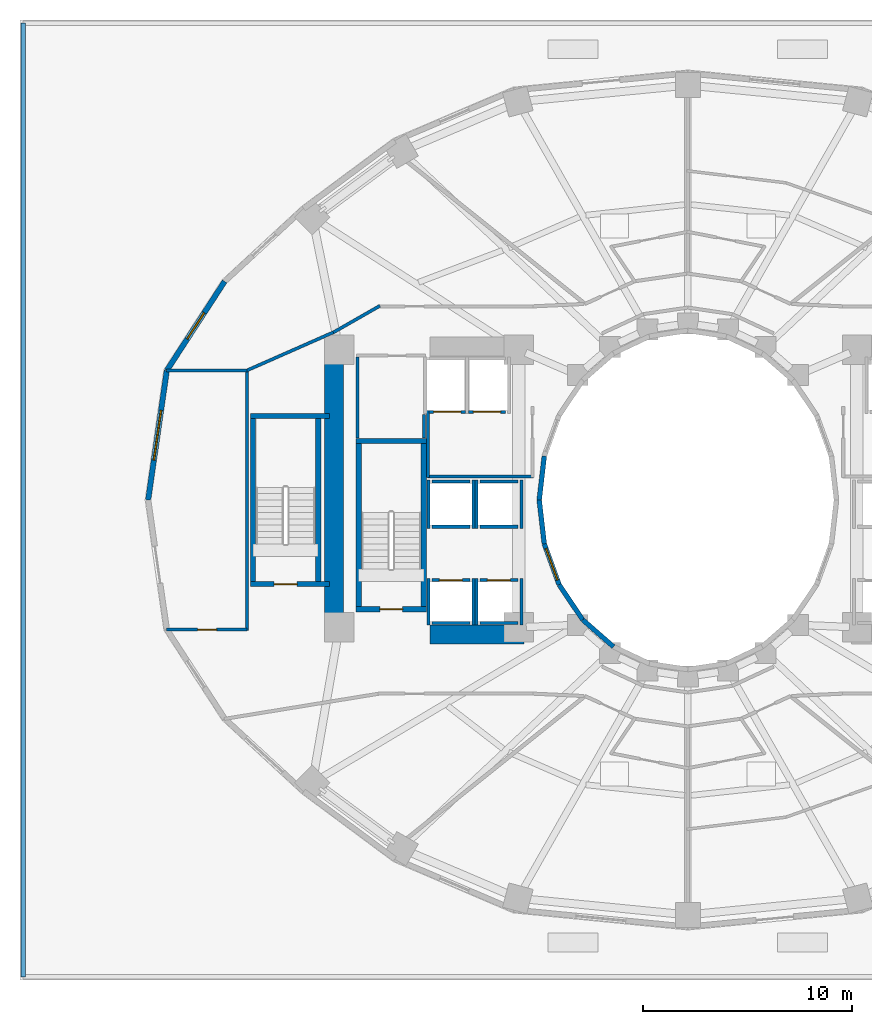
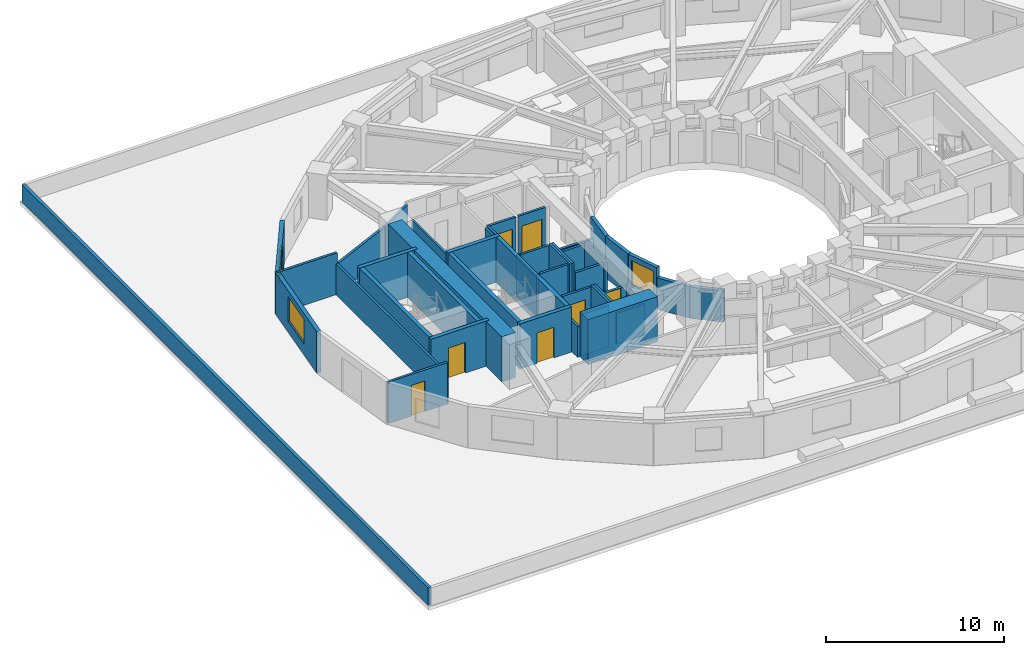
# One storey, part 4 of 10: 45 walls, 7 doors, 3 windows, 10 openings.
"""IFC4 building model written with IfcOpenShell, lengths in metres."""

from ifc_helpers import new_model, si_unit, direction, frame, frame_2d, origin, place, context, subcontext, project, spatial, rectangle, extrude, material, layer, layer_set, type_object, element, fill, save


model = new_model("IFC4")

# Units and contexts
model_context = context("Model", 3, precision=1e-05, world=origin(), true_north=direction((0.0, 1.0)))
body_context = subcontext(model_context, "Body", "Model", "MODEL_VIEW")
ifc_project = project(units=[si_unit("LENGTHUNIT", "METRE"), si_unit("AREAUNIT", "SQUARE_METRE"), si_unit("VOLUMEUNIT", "CUBIC_METRE"), si_unit("PLANEANGLEUNIT", "RADIAN"), si_unit("MASSUNIT", "GRAM", prefix="KILO")], contexts=[model_context])

# Site, building, storey
site_placement = place(None, origin())
site = spatial("IfcSite", under=ifc_project, at=site_placement, CompositionType="ELEMENT")
building_placement = place(site_placement, origin())
building = spatial("IfcBuilding", under=site, at=building_placement, Name="Solvane Sanctuary Tower", CompositionType="ELEMENT")
storey_placement = place(building_placement, frame((0.0, 0.0, 27.60009765625)))
storey = spatial("IfcBuildingStorey", under=building, at=storey_placement, Name="L07", CompositionType="ELEMENT", Elevation=27.60009765625)

# Walls
ifc_material_1 = material(Name="Concrete C70/85", Category="concrete")
ifc_layer_1 = layer(ifc_material_1, 0.89990234375, Name="Concrete C70/85")
ifc_layer_set_1 = layer_set([ifc_layer_1], Name="Concrete C70/85")
wall_type_1 = type_object("IfcWallType", Name="Wall W-CORE-900", PredefinedType="SHEAR", material=ifc_layer_set_1)
wall_1_placement = place(storey_placement, frame((15.050048828125, 17.050048828125, 0.0), z_axis=(0.0, 0.0, 1.0), x_axis=(0.0, 1.0, 0.0)))
element("IfcWall", 1, at=wall_1_placement, inside=storey, type_object=wall_type_1, Name="L07 Core Shear Wall WC-W", PredefinedType="SHEAR", context=body_context, shape_type="SweptSolid", body=[
    extrude(rectangle(XDim=12.800048828125, YDim=0.89990234375, at=frame_2d((6.39990234375, 0.0))), origin(), (0.0, 0.0, 1.0), 3.099853515625),
])
wall_2_placement = place(storey_placement, frame((19.64990234375, 16.550048828125, 0.0), z_axis=(0.0, 0.0, 1.0), x_axis=(1.0, 0.0, 0.0)))
element("IfcWall", 2, at=wall_2_placement, inside=storey, type_object=wall_type_1, Name="L07 Core Shear Wall WC-S", PredefinedType="SHEAR", context=body_context, shape_type="SweptSolid", body=[
    extrude(rectangle(XDim=4.5, YDim=0.89990234375, at=frame_2d((2.25, 0.0))), origin(), (0.0, 0.0, 1.0), 3.099853515625),
])
ifc_material_2 = material(Name="Acoustic Gypsum Partition Board")
ifc_layer_2 = layer(ifc_material_2, 0.14990234375, Name="Acoustic Gypsum Partition Board")
ifc_layer_set_2 = layer_set([ifc_layer_2], Name="Acoustic Gypsum Partition Board")
wall_type_2 = type_object("IfcWallType", Name="Wall W-CORR-150", PredefinedType="PARTITIONING", material=ifc_layer_set_2)
wall_3_placement = place(storey_placement, frame((19.52001953125, 24.1201171875, 0.0), z_axis=(0.0, 0.0, 1.0), x_axis=(1.0, 0.0, 0.0)))
element("IfcWall", 3, at=wall_3_placement, inside=storey, type_object=wall_type_2, Name="L07 West Firefighting Lobby South Wall", PredefinedType="PARTITIONING", context=body_context, shape_type="SweptSolid", body=[
    extrude(rectangle(XDim=5.080078125, YDim=0.14990234375, at=frame_2d((2.5400390625, 0.0))), origin(), (0.0, 0.0, 1.0), 2.119873046875),
])
wall_4_placement = place(storey_placement, frame((19.550048828125, 24.080078125, 0.0), z_axis=(0.0, 0.0, 1.0), x_axis=(0.0, 1.0, 0.0)))
element("IfcWall", 4, at=wall_4_placement, inside=storey, type_object=wall_type_2, Name="L07 West Firefighting Lobby West Wall", PredefinedType="PARTITIONING", context=body_context, shape_type="SweptSolid", body=[
    extrude(rectangle(XDim=3.199951171875, YDim=0.14990234375, at=frame_2d((1.60009765625, 0.0))), origin(), (0.0, 0.0, 1.0), 2.85498046875),
])
wall_5_placement = place(storey_placement, frame((10.8798828125, 16.748291015625, 0.0), z_axis=(0.0, 0.0, 1.0), x_axis=(0.0, 1.0, 0.0)))
element("IfcWall", 5, at=wall_5_placement, inside=storey, type_object=wall_type_2, Name="L07 West Shoulder Back Wall", PredefinedType="PARTITIONING", context=body_context, shape_type="SweptSolid", body=[
    extrude(rectangle(XDim=12.50341796875, YDim=0.14990234375, at=frame_2d((6.251708984375, 0.0))), origin(), (0.0, 0.0, 1.0), 2.119873046875),
])

# Wall, opening, door
wall_6_placement = place(storey_placement, frame((7.013671875, 16.788330078125, 0.0), z_axis=(0.0, 0.0, 1.0), x_axis=(1.0, 0.0, 0.0)))
wall_6 = element("IfcWall", 6, at=wall_6_placement, inside=storey, type_object=wall_type_2, Name="L07 West Shoulder South Wall", PredefinedType="PARTITIONING", context=body_context, shape_type="SweptSolid", body=[
    extrude(rectangle(XDim=3.8662109375, YDim=0.14990234375, at=frame_2d((1.93310546875, 0.0))), origin(), (0.0, 0.0, 1.0), 2.85498046875),
])
opening_1_placement = place(wall_6_placement, frame((1.503173828125, 0.0, 0.0)))
opening_1 = element("IfcOpeningElement", 7, at=opening_1_placement, cuts=wall_6, Name="Opening D-L07-13", PredefinedType="OPENING", context=body_context, shape_type="SweptSolid", body=[
    extrude(rectangle(XDim=0.89990234375, YDim=2.10009765625, at=frame_2d((0.449951171875, 1.050048828125))), frame((0.0, 0.0849609375, 0.0), z_axis=(0.0, -1.0, 0.0), x_axis=(1.0, 0.0, 0.0)), (0.0, 0.0, 1.0), 0.169921875),
])
ifc_material_3 = material(Name="Engineered Tropical Hardwood", Category="wood")
door_type_1 = type_object("IfcDoorType", Name="Door D-WET-900", OperationType="NOTDEFINED", PredefinedType="DOOR", material=ifc_material_3)
door_1_placement = place(opening_1_placement, origin())
door_1 = element("IfcDoor", 8, at=door_1_placement, inside=storey, type_object=door_type_1, Name="L07 West Shoulder South Door", OperationType="SINGLE_SWING_LEFT", OverallHeight=2.10009765625, OverallWidth=0.89990234375, PredefinedType="DOOR", context=body_context, shape_type="SweptSolid", body=[
    extrude(rectangle(XDim=0.89990234375, YDim=2.10009765625, at=frame_2d((0.449951171875, 1.050048828125))), frame((0.0, 0.02490234375, 0.0), z_axis=(0.0, -1.0, 0.0), x_axis=(1.0, 0.0, 0.0)), (0.0, 0.0, 1.0), 0.050048828125),
])
fill(opening_1, door_1)

# Walls
wall_7_placement = place(storey_placement, frame((7.013671875, 29.211669921875, 0.0), z_axis=(0.0, 0.0, 1.0), x_axis=(1.0, 0.0, 0.0)))
element("IfcWall", 9, at=wall_7_placement, inside=storey, type_object=wall_type_2, Name="L07 West Shoulder North Wall", PredefinedType="PARTITIONING", context=body_context, shape_type="SweptSolid", body=[
    extrude(rectangle(XDim=3.8662109375, YDim=0.14990234375, at=frame_2d((1.93310546875, 0.0))), origin(), (0.0, 0.0, 1.0), 2.85498046875),
])
wall_8_placement = place(storey_placement, frame((10.843505859375, 29.195556640625, 0.0), z_axis=(0.0, 0.0, 1.0), x_axis=(0.91502756289, 0.403391322604, 0.0)))
element("IfcWall", 10, at=wall_8_placement, inside=storey, type_object=wall_type_2, Name="L07 NW Corner Closer 1", PredefinedType="PARTITIONING", context=body_context, shape_type="SweptSolid", body=[
    extrude(rectangle(XDim=4.63720703125, YDim=0.14990234375, at=frame_2d((2.318603515625, 0.0))), origin(), (0.0, 0.0, 1.0), 2.06884765625),
])
wall_9_placement = place(storey_placement, frame((17.243408203125, 32.3046875, 0.0), z_axis=(0.0, 0.0, 1.0), x_axis=(-0.867991349648, -0.496579315857, 0.0)))
element("IfcWall", 11, at=wall_9_placement, inside=storey, type_object=wall_type_2, Name="L07 NW Corner Wing Wall", PredefinedType="PARTITIONING", context=body_context, shape_type="SweptSolid", body=[
    extrude(rectangle(XDim=2.56689453125, YDim=0.14990234375, at=frame_2d((1.283447265625, 0.0))), origin(), (0.0, 0.0, 1.0), 2.06884765625),
])

# Wall, opening, window
ifc_material_4 = material(Name="Precast concrete C40/50", Category="concrete")
ifc_layer_3 = layer(ifc_material_4, 0.260009765625, Name="Precast concrete C40/50")
ifc_layer_set_3 = layer_set([ifc_layer_3], Name="Precast concrete C40/50")
wall_type_3 = type_object("IfcWallType", Name="Wall W-EXT-250", PredefinedType="STANDARD", material=ifc_layer_set_3)
wall_10_placement = place(storey_placement, frame((9.80615234375, 33.4755859375, 0.0), z_axis=(0.0, 0.0, 1.0), x_axis=(-0.544578722263, -0.838709732421, 0.0)))
wall_10 = element("IfcWall", 12, at=wall_10_placement, inside=storey, type_object=wall_type_3, Name="L07 Ceramic-Printed Facade Wall 10", PredefinedType="STANDARD", context=body_context, shape_type="SweptSolid", body=[
    extrude(rectangle(XDim=5.091552734375, YDim=0.260009765625, at=frame_2d((2.5458984375, 0.0))), origin(), (0.0, 0.0, 1.0), 2.849853515625),
])
opening_2_placement = place(wall_10_placement, frame((1.795654296875, 0.0, 0.75)))
opening_2 = element("IfcOpeningElement", 13, at=opening_2_placement, cuts=wall_10, Name="Opening WN-OPER-1500", PredefinedType="OPENING", context=body_context, shape_type="SweptSolid", body=[
    extrude(rectangle(XDim=1.5, YDim=1.60009765625, at=frame_2d((0.75, 0.800048828125))), frame((0.0, 0.139892578125, 0.0), z_axis=(0.0, -1.0, 0.0), x_axis=(1.0, 0.0, 0.0)), (0.0, 0.0, 1.0), 0.280029296875),
])
ifc_material_5 = material(Name="Dark Ceramic-Fritted Low-E Glass", Category="glass")
window_type_1 = type_object("IfcWindowType", Name="Window WN-OPER-1500", PartitioningType="SINGLE_PANEL", PredefinedType="WINDOW", material=ifc_material_5)
window_1_placement = place(opening_2_placement, origin())
window_1 = element("IfcWindow", 14, at=window_1_placement, inside=storey, type_object=window_type_1, Name="L07 Operable Facade Window 10", OverallHeight=1.60009765625, OverallWidth=1.5, PartitioningType="SINGLE_PANEL", PredefinedType="WINDOW", context=body_context, shape_type="SweptSolid", body=[
    extrude(rectangle(XDim=1.5, YDim=1.60009765625, at=frame_2d((0.75, 0.800048828125))), frame((0.0, 0.030029296875, 0.0), z_axis=(0.0, -1.0, 0.0), x_axis=(1.0, 0.0, 0.0)), (0.0, 0.0, 1.0), 0.06005859375),
])
fill(opening_2, window_1)

wall_11_placement = place(storey_placement, frame((7.033447265625, 29.205322265625, 0.0), z_axis=(0.0, 0.0, 1.0), x_axis=(-0.142528001686, -0.989790770181, 0.0)))
wall_11 = element("IfcWall", 15, at=wall_11_placement, inside=storey, type_object=wall_type_3, Name="L07 Ceramic-Printed Facade Wall 11", PredefinedType="STANDARD", context=body_context, shape_type="SweptSolid", body=[
    extrude(rectangle(XDim=6.269287109375, YDim=0.260009765625, at=frame_2d((3.134765625, 0.0))), origin(), (0.0, 0.0, 1.0), 2.849853515625),
])
opening_3_placement = place(wall_11_placement, frame((1.9345703125, 0.0, 0.75)))
opening_3 = element("IfcOpeningElement", 16, at=opening_3_placement, cuts=wall_11, Name="Opening WN-RIB-2400", PredefinedType="OPENING", context=body_context, shape_type="SweptSolid", body=[
    extrude(rectangle(XDim=2.39990234375, YDim=1.699951171875, at=frame_2d((1.199951171875, 0.85009765625))), frame((0.0, 0.139892578125, 0.0), z_axis=(0.0, -1.0, 0.0), x_axis=(1.0, 0.0, 0.0)), (0.0, 0.0, 1.0), 0.280029296875),
])
window_type_2 = type_object("IfcWindowType", Name="Window WN-RIB-2400", PartitioningType="SINGLE_PANEL", PredefinedType="WINDOW", material=ifc_material_5)
window_2_placement = place(opening_3_placement, origin())
window_2 = element("IfcWindow", 17, at=window_2_placement, inside=storey, type_object=window_type_2, Name="L07 Operable Facade Window 11", OverallHeight=1.699951171875, OverallWidth=2.39990234375, PartitioningType="SINGLE_PANEL", PredefinedType="WINDOW", context=body_context, shape_type="SweptSolid", body=[
    extrude(rectangle(XDim=2.39990234375, YDim=1.699951171875, at=frame_2d((1.199951171875, 0.85009765625))), frame((0.0, 0.030029296875, 0.0), z_axis=(0.0, -1.0, 0.0), x_axis=(1.0, 0.0, 0.0)), (0.0, 0.0, 1.0), 0.06005859375),
])
fill(opening_3, window_2)

# Walls
ifc_layer_4 = layer(ifc_material_4, 0.22998046875, Name="Precast concrete C40/50")
ifc_layer_set_4 = layer_set([ifc_layer_4], Name="Precast concrete C40/50")
wall_type_4 = type_object("IfcWallType", Name="Wall W-EXT-SP220", PredefinedType="STANDARD", material=ifc_layer_set_4)
for number, where, z_axis, x_axis, name in (
    (18, (25.12255859375, 25.1015625, 0.0), (0.0, 0.0, 1.0), (-0.114711713601, -0.993398823617, 0.0), "L07 Central Light-Well Wall 11"),
    (19, (24.8798828125, 23.0, 0.0), (0.0, 0.0, 1.0), (0.114711713601, -0.993398823617, 0.0), "L07 Central Light-Well Wall 12"),
):
    element("IfcWall", number, at=place(storey_placement, frame(where, z_axis=z_axis, x_axis=x_axis)), inside=storey, type_object=wall_type_4, Name=name, PredefinedType="STANDARD", context=body_context, shape_type="SweptSolid", body=[
        extrude(rectangle(XDim=2.115478515625, YDim=0.22998046875, at=frame_2d((1.0576171875, 0.0))), origin(), (0.0, 0.0, 1.0), 2.83984375),
    ])

# Wall, opening, window
wall_12_placement = place(storey_placement, frame((25.12255859375, 20.8984375, 0.0), z_axis=(0.0, 0.0, 1.0), x_axis=(0.341423187295, -0.93990968033, 0.0)))
wall_12 = element("IfcWall", 20, at=wall_12_placement, inside=storey, type_object=wall_type_4, Name="L07 Central Light-Well Wall 13", PredefinedType="STANDARD", context=body_context, shape_type="SweptSolid", body=[
    extrude(rectangle(XDim=2.083740234375, YDim=0.22998046875, at=frame_2d((1.0419921875, 0.0))), origin(), (0.0, 0.0, 1.0), 2.83984375),
])
opening_4_placement = place(wall_12_placement, frame((0.24169921875, 0.0, 0.85009765625)))
opening_4 = element("IfcOpeningElement", 21, at=opening_4_placement, cuts=wall_12, Name="Opening WN-WELL-1600", PredefinedType="OPENING", context=body_context, shape_type="SweptSolid", body=[
    extrude(rectangle(XDim=1.60009765625, YDim=1.64990234375, at=frame_2d((0.800048828125, 0.824951171875))), frame((0.0, 0.125, 0.0), z_axis=(0.0, -1.0, 0.0), x_axis=(1.0, 0.0, 0.0)), (0.0, 0.0, 1.0), 0.25),
])
ifc_material_6 = material(Name="Clear Laminated Light-Well Glass", Category="glass")
window_type_3 = type_object("IfcWindowType", Name="Window WN-WELL-1600", PartitioningType="SINGLE_PANEL", PredefinedType="WINDOW", material=ifc_material_6)
window_3_placement = place(opening_4_placement, origin())
window_3 = element("IfcWindow", 22, at=window_3_placement, inside=storey, type_object=window_type_3, Name="L07 Light-Well Daylight Window 13", OverallHeight=1.64990234375, OverallWidth=1.60009765625, PartitioningType="SINGLE_PANEL", PredefinedType="WINDOW", context=body_context, shape_type="SweptSolid", body=[
    extrude(rectangle(XDim=1.60009765625, YDim=1.64990234375, at=frame_2d((0.800048828125, 0.824951171875))), frame((0.0, 0.030029296875, 0.0), z_axis=(0.0, -1.0, 0.0), x_axis=(1.0, 0.0, 0.0)), (0.0, 0.0, 1.0), 0.06005859375),
])
fill(opening_4, window_3)

# Walls
wall_13_placement = place(storey_placement, frame((25.833984375, 18.93994140625, 0.0), z_axis=(0.0, 0.0, 1.0), x_axis=(0.558197800898, -0.829707909492, 0.0)))
element("IfcWall", 23, at=wall_13_placement, inside=storey, type_object=wall_type_4, Name="L07 Central Light-Well Wall 14", PredefinedType="STANDARD", context=body_context, shape_type="SweptSolid", body=[
    extrude(rectangle(XDim=2.02685546875, YDim=0.22998046875, at=frame_2d((1.013427734375, 0.0))), origin(), (0.0, 0.0, 1.0), 2.159912109375),
])
wall_14_placement = place(storey_placement, frame((26.96533203125, 17.25830078125, 0.0), z_axis=(0.0, 0.0, 1.0), x_axis=(0.752576694707, -0.658504607869, 0.0)))
element("IfcWall", 24, at=wall_14_placement, inside=storey, type_object=wall_type_4, Name="L07 Central Light-Well Wall 15", PredefinedType="STANDARD", context=body_context, shape_type="SweptSolid", body=[
    extrude(rectangle(XDim=1.95947265625, YDim=0.22998046875, at=frame_2d((0.979736328125, 0.0))), origin(), (0.0, 0.0, 1.0), 2.159912109375),
])
ifc_layer_5 = layer(ifc_material_4, 0.2099609375, Name="Precast concrete C40/50")
ifc_layer_set_5 = layer_set([ifc_layer_5], Name="Precast concrete C40/50")
wall_type_5 = type_object("IfcWallType", Name="Wall W-PARAPET-200", PredefinedType="PARAPET", material=ifc_layer_set_5)
wall_15_placement = place(storey_placement, frame((0.14990234375, 45.85009765625, 0.0), z_axis=(0.0, 0.0, 1.0), x_axis=(0.0, -1.0, 0.0)))
element("IfcWall", 25, at=wall_15_placement, inside=storey, type_object=wall_type_5, Name="L07 Podium Roof Perimeter Parapet W", PredefinedType="PARAPET", context=body_context, shape_type="SweptSolid", body=[
    extrude(rectangle(XDim=45.7001953125, YDim=0.2099609375, at=frame_2d((22.85009765625, 0.0))), origin(), (0.0, 0.0, 1.0), 1.199951171875),
])

# Wall, opening, door
ifc_material_7 = material(Name="Concrete C50/60", Category="concrete")
ifc_layer_6 = layer(ifc_material_7, 0.14990234375, Name="Concrete C50/60")
ifc_layer_set_6 = layer_set([ifc_layer_6], Name="Concrete C50/60")
wall_type_6 = type_object("IfcWallType", Name="Wall W-SHAFT-150", PredefinedType="SOLIDWALL", material=ifc_layer_set_6)
wall_16_placement = place(storey_placement, frame((19.739990234375, 19.159912109375, 0.0), z_axis=(0.0, 0.0, 1.0), x_axis=(1.0, 0.0, 0.0)))
wall_16 = element("IfcWall", 26, at=wall_16_placement, inside=storey, type_object=wall_type_6, Name="L07 PL-1 Lift Shaft Wall F", PredefinedType="SOLIDWALL", context=body_context, shape_type="SweptSolid", body=[
    extrude(rectangle(XDim=1.820068359375, YDim=0.14990234375, at=frame_2d((0.91015625, 0.0))), origin(), (0.0, 0.0, 1.0), 2.85498046875),
])
opening_5_placement = place(wall_16_placement, frame((0.360107421875, 0.0, 0.0)))
opening_5 = element("IfcOpeningElement", 27, at=opening_5_placement, cuts=wall_16, Name="Opening LD-L07-01", PredefinedType="OPENING", context=body_context, shape_type="SweptSolid", body=[
    extrude(rectangle(XDim=1.10009765625, YDim=2.10009765625, at=frame_2d((0.550048828125, 1.050048828125))), frame((0.0, 0.0849609375, 0.0), z_axis=(0.0, -1.0, 0.0), x_axis=(1.0, 0.0, 0.0)), (0.0, 0.0, 1.0), 0.169921875),
])
ifc_material_8 = material(Name="Architectural Stainless Steel 316", Category="steel")
door_type_2 = type_object("IfcDoorType", Name="Door LD-PASS-1100", OperationType="NOTDEFINED", PredefinedType="DOOR", material=ifc_material_8)
door_2_placement = place(opening_5_placement, origin())
door_2 = element("IfcDoor", 28, at=door_2_placement, inside=storey, type_object=door_type_2, Name="L07 PL-1 Lift Landing Door", OperationType="DOUBLE_DOOR_SLIDING", OverallHeight=2.10009765625, OverallWidth=1.10009765625, PredefinedType="DOOR", context=body_context, shape_type="SweptSolid", body=[
    extrude(rectangle(XDim=1.10009765625, YDim=2.10009765625, at=frame_2d((0.550048828125, 1.050048828125))), frame((0.0, 0.02490234375, 0.0), z_axis=(0.0, -1.0, 0.0), x_axis=(1.0, 0.0, 0.0)), (0.0, 0.0, 1.0), 0.050048828125),
])
fill(opening_5, door_2)

# Walls
wall_17_placement = place(storey_placement, frame((19.739990234375, 17.10009765625, 0.0), z_axis=(0.0, 0.0, 1.0), x_axis=(1.0, 0.0, 0.0)))
element("IfcWall", 29, at=wall_17_placement, inside=storey, type_object=wall_type_6, Name="L07 PL-1 Lift Shaft Wall B", PredefinedType="SOLIDWALL", context=body_context, shape_type="SweptSolid", body=[
    extrude(rectangle(XDim=1.820068359375, YDim=0.14990234375, at=frame_2d((0.91015625, 0.0))), origin(), (0.0, 0.0, 1.0), 2.85498046875),
])
wall_18_placement = place(storey_placement, frame((19.570068359375, 17.02001953125, 0.0), z_axis=(0.0, 0.0, 1.0), x_axis=(0.0, 1.0, 0.0)))
element("IfcWall", 30, at=wall_18_placement, inside=storey, type_object=wall_type_6, Name="L07 PL-1 Lift Shaft Wall S1", PredefinedType="SOLIDWALL", context=body_context, shape_type="SweptSolid", body=[
    extrude(rectangle(XDim=2.219970703125, YDim=0.14990234375, at=frame_2d((1.10986328125, 0.0))), origin(), (0.0, 0.0, 1.0), 2.119873046875),
])
wall_19_placement = place(storey_placement, frame((21.72998046875, 17.02001953125, 0.0), z_axis=(0.0, 0.0, 1.0), x_axis=(0.0, 1.0, 0.0)))
element("IfcWall", 31, at=wall_19_placement, inside=storey, type_object=wall_type_6, Name="L07 PL-1 Lift Shaft Wall S2", PredefinedType="SOLIDWALL", context=body_context, shape_type="SweptSolid", body=[
    extrude(rectangle(XDim=2.219970703125, YDim=0.14990234375, at=frame_2d((1.10986328125, 0.0))), origin(), (0.0, 0.0, 1.0), 2.85498046875),
])

# Wall, opening, door
wall_20_placement = place(storey_placement, frame((22.0400390625, 19.159912109375, 0.0), z_axis=(0.0, 0.0, 1.0), x_axis=(1.0, 0.0, 0.0)))
wall_20 = element("IfcWall", 32, at=wall_20_placement, inside=storey, type_object=wall_type_6, Name="L07 PL-2 Lift Shaft Wall F", PredefinedType="SOLIDWALL", context=body_context, shape_type="SweptSolid", body=[
    extrude(rectangle(XDim=1.820068359375, YDim=0.14990234375, at=frame_2d((0.91015625, 0.0))), origin(), (0.0, 0.0, 1.0), 2.119873046875),
])
opening_6_placement = place(wall_20_placement, frame((0.360107421875, 0.0, 0.0)))
opening_6 = element("IfcOpeningElement", 33, at=opening_6_placement, cuts=wall_20, Name="Opening LD-L07-02", PredefinedType="OPENING", context=body_context, shape_type="SweptSolid", body=[
    extrude(rectangle(XDim=1.10009765625, YDim=2.10009765625, at=frame_2d((0.550048828125, 1.050048828125))), frame((0.0, 0.0849609375, 0.0), z_axis=(0.0, -1.0, 0.0), x_axis=(1.0, 0.0, 0.0)), (0.0, 0.0, 1.0), 0.169921875),
])
door_3_placement = place(opening_6_placement, origin())
door_3 = element("IfcDoor", 34, at=door_3_placement, inside=storey, type_object=door_type_2, Name="L07 PL-2 Lift Landing Door", OperationType="DOUBLE_DOOR_SLIDING", OverallHeight=2.10009765625, OverallWidth=1.10009765625, PredefinedType="DOOR", context=body_context, shape_type="SweptSolid", body=[
    extrude(rectangle(XDim=1.10009765625, YDim=2.10009765625, at=frame_2d((0.550048828125, 1.050048828125))), frame((0.0, 0.02490234375, 0.0), z_axis=(0.0, -1.0, 0.0), x_axis=(1.0, 0.0, 0.0)), (0.0, 0.0, 1.0), 0.050048828125),
])
fill(opening_6, door_3)

# Walls
wall_21_placement = place(storey_placement, frame((22.0400390625, 17.10009765625, 0.0), z_axis=(0.0, 0.0, 1.0), x_axis=(1.0, 0.0, 0.0)))
element("IfcWall", 35, at=wall_21_placement, inside=storey, type_object=wall_type_6, Name="L07 PL-2 Lift Shaft Wall B", PredefinedType="SOLIDWALL", context=body_context, shape_type="SweptSolid", body=[
    extrude(rectangle(XDim=1.820068359375, YDim=0.14990234375, at=frame_2d((0.91015625, 0.0))), origin(), (0.0, 0.0, 1.0), 2.119873046875),
])
wall_22_placement = place(storey_placement, frame((21.8701171875, 17.02001953125, 0.0), z_axis=(0.0, 0.0, 1.0), x_axis=(0.0, 1.0, 0.0)))
element("IfcWall", 36, at=wall_22_placement, inside=storey, type_object=wall_type_6, Name="L07 PL-2 Lift Shaft Wall S1", PredefinedType="SOLIDWALL", context=body_context, shape_type="SweptSolid", body=[
    extrude(rectangle(XDim=2.219970703125, YDim=0.14990234375, at=frame_2d((1.10986328125, 0.0))), origin(), (0.0, 0.0, 1.0), 2.85498046875),
])
wall_23_placement = place(storey_placement, frame((24.030029296875, 17.02001953125, 0.0), z_axis=(0.0, 0.0, 1.0), x_axis=(0.0, 1.0, 0.0)))
element("IfcWall", 37, at=wall_23_placement, inside=storey, type_object=wall_type_6, Name="L07 PL-2 Lift Shaft Wall S2", PredefinedType="SOLIDWALL", context=body_context, shape_type="SweptSolid", body=[
    extrude(rectangle(XDim=2.219970703125, YDim=0.14990234375, at=frame_2d((1.10986328125, 0.0))), origin(), (0.0, 0.0, 1.0), 2.119873046875),
])
for number, where, z_axis, x_axis, name in (
    (38, (19.739990234375, 21.719970703125, 0.0), (0.0, 0.0, 1.0), (1.0, 0.0, 0.0), "L07 PM-1 Lift Shaft Wall F"),
    (39, (19.739990234375, 23.8798828125, 0.0), (0.0, 0.0, 1.0), (1.0, 0.0, 0.0), "L07 PM-1 Lift Shaft Wall B"),
):
    element("IfcWall", number, at=place(storey_placement, frame(where, z_axis=z_axis, x_axis=x_axis)), inside=storey, type_object=wall_type_6, Name=name, PredefinedType="SOLIDWALL", context=body_context, shape_type="SweptSolid", body=[
        extrude(rectangle(XDim=1.820068359375, YDim=0.14990234375, at=frame_2d((0.91015625, 0.0))), origin(), (0.0, 0.0, 1.0), 2.85498046875),
    ])
for number, where, z_axis, x_axis, name in (
    (40, (19.570068359375, 21.639892578125, 0.0), (0.0, 0.0, 1.0), (0.0, 1.0, 0.0), "L07 PM-1 Lift Shaft Wall S1"),
    (41, (21.72998046875, 21.639892578125, 0.0), (0.0, 0.0, 1.0), (0.0, 1.0, 0.0), "L07 PM-1 Lift Shaft Wall S2"),
):
    element("IfcWall", number, at=place(storey_placement, frame(where, z_axis=z_axis, x_axis=x_axis)), inside=storey, type_object=wall_type_6, Name=name, PredefinedType="SOLIDWALL", context=body_context, shape_type="SweptSolid", body=[
        extrude(rectangle(XDim=2.320068359375, YDim=0.14990234375, at=frame_2d((1.16015625, 0.0))), origin(), (0.0, 0.0, 1.0), 2.85498046875),
    ])
for number, where, z_axis, x_axis, name in (
    (42, (22.0400390625, 21.719970703125, 0.0), (0.0, 0.0, 1.0), (1.0, 0.0, 0.0), "L07 PH-1 Lift Shaft Wall F"),
    (43, (22.0400390625, 23.8798828125, 0.0), (0.0, 0.0, 1.0), (1.0, 0.0, 0.0), "L07 PH-1 Lift Shaft Wall B"),
):
    element("IfcWall", number, at=place(storey_placement, frame(where, z_axis=z_axis, x_axis=x_axis)), inside=storey, type_object=wall_type_6, Name=name, PredefinedType="SOLIDWALL", context=body_context, shape_type="SweptSolid", body=[
        extrude(rectangle(XDim=1.820068359375, YDim=0.14990234375, at=frame_2d((0.91015625, 0.0))), origin(), (0.0, 0.0, 1.0), 2.119873046875),
    ])
wall_24_placement = place(storey_placement, frame((21.8701171875, 21.639892578125, 0.0), z_axis=(0.0, 0.0, 1.0), x_axis=(0.0, 1.0, 0.0)))
element("IfcWall", 44, at=wall_24_placement, inside=storey, type_object=wall_type_6, Name="L07 PH-1 Lift Shaft Wall S1", PredefinedType="SOLIDWALL", context=body_context, shape_type="SweptSolid", body=[
    extrude(rectangle(XDim=2.320068359375, YDim=0.14990234375, at=frame_2d((1.16015625, 0.0))), origin(), (0.0, 0.0, 1.0), 2.85498046875),
])
wall_25_placement = place(storey_placement, frame((24.030029296875, 21.639892578125, 0.0), z_axis=(0.0, 0.0, 1.0), x_axis=(0.0, 1.0, 0.0)))
element("IfcWall", 45, at=wall_25_placement, inside=storey, type_object=wall_type_6, Name="L07 PH-1 Lift Shaft Wall S2", PredefinedType="SOLIDWALL", context=body_context, shape_type="SweptSolid", body=[
    extrude(rectangle(XDim=2.320068359375, YDim=0.14990234375, at=frame_2d((1.16015625, 0.0))), origin(), (0.0, 0.0, 1.0), 2.119873046875),
])

# Wall, opening, door
wall_26_placement = place(storey_placement, frame((19.590087890625, 27.219970703125, 0.0), z_axis=(0.0, 0.0, 1.0), x_axis=(1.0, 0.0, 0.0)))
wall_26 = element("IfcWall", 46, at=wall_26_placement, inside=storey, type_object=wall_type_6, Name="L07 FFL-1 Lift Shaft Wall F", PredefinedType="SOLIDWALL", context=body_context, shape_type="SweptSolid", body=[
    extrude(rectangle(XDim=1.760009765625, YDim=0.14990234375, at=frame_2d((0.8798828125, 0.0))), origin(), (0.0, 0.0, 1.0), 2.85498046875),
])
opening_7_placement = place(wall_26_placement, frame((0.22998046875, 0.0, 0.0)))
opening_7 = element("IfcOpeningElement", 47, at=opening_7_placement, cuts=wall_26, Name="Opening LD-L07-05", PredefinedType="OPENING", context=body_context, shape_type="SweptSolid", body=[
    extrude(rectangle(XDim=1.300048828125, YDim=2.10009765625, at=frame_2d((0.64990234375, 1.050048828125))), frame((0.0, 0.0849609375, 0.0), z_axis=(0.0, -1.0, 0.0), x_axis=(1.0, 0.0, 0.0)), (0.0, 0.0, 1.0), 0.169921875),
])
door_type_3 = type_object("IfcDoorType", Name="Door LD-FFL-1300", OperationType="NOTDEFINED", PredefinedType="DOOR", material=ifc_material_8)
door_4_placement = place(opening_7_placement, origin())
door_4 = element("IfcDoor", 48, at=door_4_placement, inside=storey, type_object=door_type_3, Name="L07 FFL-1 Lift Landing Door", OperationType="DOUBLE_DOOR_SLIDING", OverallHeight=2.10009765625, OverallWidth=1.300048828125, PredefinedType="DOOR", context=body_context, shape_type="SweptSolid", body=[
    extrude(rectangle(XDim=1.300048828125, YDim=2.10009765625, at=frame_2d((0.64990234375, 1.050048828125))), frame((0.0, 0.02490234375, 0.0), z_axis=(0.0, -1.0, 0.0), x_axis=(1.0, 0.0, 0.0)), (0.0, 0.0, 1.0), 0.050048828125),
])
fill(opening_7, door_4)

wall_27_placement = place(storey_placement, frame((21.5, 27.219970703125, 0.0), z_axis=(0.0, 0.0, 1.0), x_axis=(1.0, 0.0, 0.0)))
wall_27 = element("IfcWall", 49, at=wall_27_placement, inside=storey, type_object=wall_type_6, Name="L07 SVL-1 Lift Shaft Wall F", PredefinedType="SOLIDWALL", context=body_context, shape_type="SweptSolid", body=[
    extrude(rectangle(XDim=1.760009765625, YDim=0.14990234375, at=frame_2d((0.8798828125, 0.0))), origin(), (0.0, 0.0, 1.0), 2.85498046875),
])
opening_8_placement = place(wall_27_placement, frame((0.22998046875, 0.0, 0.0)))
opening_8 = element("IfcOpeningElement", 50, at=opening_8_placement, cuts=wall_27, Name="Opening LD-L07-06", PredefinedType="OPENING", context=body_context, shape_type="SweptSolid", body=[
    extrude(rectangle(XDim=1.300048828125, YDim=2.10009765625, at=frame_2d((0.64990234375, 1.050048828125))), frame((0.0, 0.0849609375, 0.0), z_axis=(0.0, -1.0, 0.0), x_axis=(1.0, 0.0, 0.0)), (0.0, 0.0, 1.0), 0.169921875),
])
door_5_placement = place(opening_8_placement, origin())
door_5 = element("IfcDoor", 51, at=door_5_placement, inside=storey, type_object=door_type_3, Name="L07 SVL-1 Lift Landing Door", OperationType="DOUBLE_DOOR_SLIDING", OverallHeight=2.10009765625, OverallWidth=1.300048828125, PredefinedType="DOOR", context=body_context, shape_type="SweptSolid", body=[
    extrude(rectangle(XDim=1.300048828125, YDim=2.10009765625, at=frame_2d((0.64990234375, 1.050048828125))), frame((0.0, 0.02490234375, 0.0), z_axis=(0.0, -1.0, 0.0), x_axis=(1.0, 0.0, 0.0)), (0.0, 0.0, 1.0), 0.050048828125),
])
fill(opening_8, door_5)

ifc_layer_7 = layer(ifc_material_7, 0.25, Name="Concrete C50/60")
ifc_layer_set_7 = layer_set([ifc_layer_7], Name="Concrete C50/60")
wall_type_7 = type_object("IfcWallType", Name="Wall W-SHAFT-250", PredefinedType="SOLIDWALL", material=ifc_layer_set_7)
wall_28_placement = place(storey_placement, frame((16.10498046875, 17.77001953125, 0.0), z_axis=(0.0, 0.0, 1.0), x_axis=(1.0, 0.0, 0.0)))
wall_28 = element("IfcWall", 52, at=wall_28_placement, inside=storey, type_object=wall_type_7, Name="L07 ST-1 Load-Bearing Shaft Wall S", PredefinedType="SOLIDWALL", context=body_context, shape_type="SweptSolid", body=[
    extrude(rectangle(XDim=3.3701171875, YDim=0.25, at=frame_2d((1.68505859375, 0.0))), origin(), (0.0, 0.0, 1.0), 3.099853515625),
])
opening_9_placement = place(wall_28_placement, frame((1.135009765625, 0.0, 0.0)))
opening_9 = element("IfcOpeningElement", 53, at=opening_9_placement, cuts=wall_28, Name="Opening D-L07-05", PredefinedType="OPENING", context=body_context, shape_type="SweptSolid", body=[
    extrude(rectangle(XDim=1.10009765625, YDim=2.10009765625, at=frame_2d((0.550048828125, 1.050048828125))), frame((0.0, 0.135009765625, 0.0), z_axis=(0.0, -1.0, 0.0), x_axis=(1.0, 0.0, 0.0)), (0.0, 0.0, 1.0), 0.27001953125),
])
door_type_4 = type_object("IfcDoorType", Name="Door D-STAIR", OperationType="NOTDEFINED", PredefinedType="DOOR", material=ifc_material_8)
door_6_placement = place(opening_9_placement, origin())
door_6 = element("IfcDoor", 54, at=door_6_placement, inside=storey, type_object=door_type_4, Name="L07 ST-1 Exit Stair Fire Door", OperationType="SINGLE_SWING_LEFT", OverallHeight=2.10009765625, OverallWidth=1.10009765625, PredefinedType="DOOR", context=body_context, shape_type="SweptSolid", body=[
    extrude(rectangle(XDim=1.10009765625, YDim=2.10009765625, at=frame_2d((0.550048828125, 1.050048828125))), frame((0.0, 0.02490234375, 0.0), z_axis=(0.0, -1.0, 0.0), x_axis=(1.0, 0.0, 0.0)), (0.0, 0.0, 1.0), 0.050048828125),
])
fill(opening_9, door_6)

# Walls
wall_29_placement = place(storey_placement, frame((16.10498046875, 25.830078125, 0.0), z_axis=(0.0, 0.0, 1.0), x_axis=(1.0, 0.0, 0.0)))
element("IfcWall", 55, at=wall_29_placement, inside=storey, type_object=wall_type_7, Name="L07 ST-1 Load-Bearing Shaft Wall N", PredefinedType="SOLIDWALL", context=body_context, shape_type="SweptSolid", body=[
    extrude(rectangle(XDim=3.3701171875, YDim=0.25, at=frame_2d((1.68505859375, 0.0))), origin(), (0.0, 0.0, 1.0), 3.099853515625),
])
for number, where, z_axis, x_axis, name in (
    (56, (16.22998046875, 17.89501953125, 0.0), (0.0, 0.0, 1.0), (0.0, 1.0, 0.0), "L07 ST-1 Load-Bearing Shaft Wall W"),
    (57, (19.35009765625, 17.89501953125, 0.0), (0.0, 0.0, 1.0), (0.0, 1.0, 0.0), "L07 ST-1 Load-Bearing Shaft Wall E"),
):
    element("IfcWall", number, at=place(storey_placement, frame(where, z_axis=z_axis, x_axis=x_axis)), inside=storey, type_object=wall_type_7, Name=name, PredefinedType="SOLIDWALL", context=body_context, shape_type="SweptSolid", body=[
        extrude(rectangle(XDim=7.81005859375, YDim=0.25, at=frame_2d((3.905029296875, 0.0))), origin(), (0.0, 0.0, 1.0), 3.099853515625),
    ])

# Wall, opening, door
wall_30_placement = place(storey_placement, frame((11.044921875, 18.969970703125, 0.0), z_axis=(0.0, 0.0, 1.0), x_axis=(1.0, 0.0, 0.0)))
wall_30 = element("IfcWall", 58, at=wall_30_placement, inside=storey, type_object=wall_type_7, Name="L07 ST-3 Load-Bearing Shaft Wall S", PredefinedType="SOLIDWALL", context=body_context, shape_type="SweptSolid", body=[
    extrude(rectangle(XDim=3.781982421875, YDim=0.25, at=frame_2d((1.89111328125, 0.0))), origin(), (0.0, 0.0, 1.0), 3.099853515625),
])
opening_10_placement = place(wall_30_placement, frame((1.135009765625, 0.0, 0.0)))
opening_10 = element("IfcOpeningElement", 59, at=opening_10_placement, cuts=wall_30, Name="Opening D-L07-07", PredefinedType="OPENING", context=body_context, shape_type="SweptSolid", body=[
    extrude(rectangle(XDim=1.10009765625, YDim=2.10009765625, at=frame_2d((0.550048828125, 1.050048828125))), frame((0.0, 0.135009765625, 0.0), z_axis=(0.0, -1.0, 0.0), x_axis=(1.0, 0.0, 0.0)), (0.0, 0.0, 1.0), 0.27001953125),
])
door_7_placement = place(opening_10_placement, origin())
door_7 = element("IfcDoor", 60, at=door_7_placement, inside=storey, type_object=door_type_4, Name="L07 ST-3 Exit Stair Fire Door", OperationType="SINGLE_SWING_LEFT", OverallHeight=2.10009765625, OverallWidth=1.10009765625, PredefinedType="DOOR", context=body_context, shape_type="SweptSolid", body=[
    extrude(rectangle(XDim=1.10009765625, YDim=2.10009765625, at=frame_2d((0.550048828125, 1.050048828125))), frame((0.0, 0.02490234375, 0.0), z_axis=(0.0, -1.0, 0.0), x_axis=(1.0, 0.0, 0.0)), (0.0, 0.0, 1.0), 0.050048828125),
])
fill(opening_10, door_7)

# Walls
wall_31_placement = place(storey_placement, frame((11.044921875, 27.030029296875, 0.0), z_axis=(0.0, 0.0, 1.0), x_axis=(1.0, 0.0, 0.0)))
element("IfcWall", 61, at=wall_31_placement, inside=storey, type_object=wall_type_7, Name="L07 ST-3 Load-Bearing Shaft Wall N", PredefinedType="SOLIDWALL", context=body_context, shape_type="SweptSolid", body=[
    extrude(rectangle(XDim=3.781982421875, YDim=0.25, at=frame_2d((1.89111328125, 0.0))), origin(), (0.0, 0.0, 1.0), 3.099853515625),
])
for number, where, z_axis, x_axis, name in (
    (62, (11.169921875, 19.094970703125, 0.0), (0.0, 0.0, 1.0), (0.0, 1.0, 0.0), "L07 ST-3 Load-Bearing Shaft Wall W"),
    (63, (14.2900390625, 19.094970703125, 0.0), (0.0, 0.0, 1.0), (0.0, 1.0, 0.0), "L07 ST-3 Load-Bearing Shaft Wall E"),
):
    element("IfcWall", number, at=place(storey_placement, frame(where, z_axis=z_axis, x_axis=x_axis)), inside=storey, type_object=wall_type_7, Name=name, PredefinedType="SOLIDWALL", context=body_context, shape_type="SweptSolid", body=[
        extrude(rectangle(XDim=7.81005859375, YDim=0.25, at=frame_2d((3.905029296875, 0.0))), origin(), (0.0, 0.0, 1.0), 3.099853515625),
    ])
ifc_layer_8 = layer(ifc_material_2, 0.139892578125, Name="Acoustic Gypsum Partition Board")
ifc_layer_set_8 = layer_set([ifc_layer_8], Name="Acoustic Gypsum Partition Board")
wall_type_8 = type_object("IfcWallType", Name="Wall W-WET-140", PredefinedType="PLUMBINGWALL", material=ifc_layer_set_8)
wall_32_placement = place(storey_placement, frame((16.179931640625, 25.97998046875, 0.0), z_axis=(0.0, 0.0, 1.0), x_axis=(0.0, 1.0, 0.0)))
element("IfcWall", 64, at=wall_32_placement, inside=storey, type_object=wall_type_8, Name="L07 Core Service Side Wall KW0-1", PredefinedType="PLUMBINGWALL", context=body_context, shape_type="SweptSolid", body=[
    extrude(rectangle(XDim=3.880126953125, YDim=0.139892578125, at=frame_2d((1.93994140625, 0.0))), origin(), (0.0, 0.0, 1.0), 2.85498046875),
])
wall_33_placement = place(storey_placement, frame((19.360107421875, 25.97998046875, 0.0), z_axis=(0.0, 0.0, 1.0), x_axis=(0.0, 1.0, 0.0)))
element("IfcWall", 65, at=wall_33_placement, inside=storey, type_object=wall_type_8, Name="L07 Core Service Side Wall KW0-2", PredefinedType="PLUMBINGWALL", context=body_context, shape_type="SweptSolid", body=[
    extrude(rectangle(XDim=1.1201171875, YDim=0.139892578125, at=frame_2d((0.56005859375, 0.0))), origin(), (0.0, 0.0, 1.0), 2.85498046875),
])

save(model, "model.ifc")
